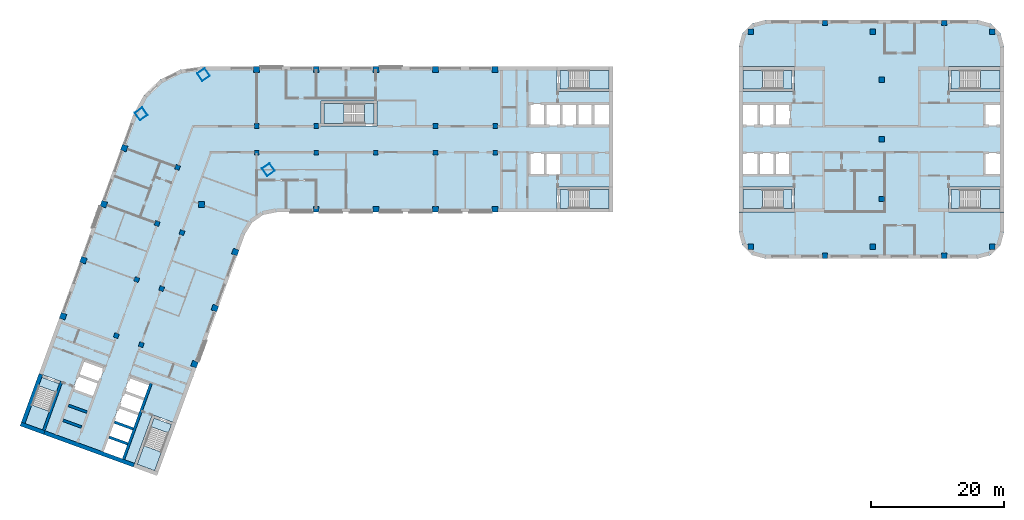
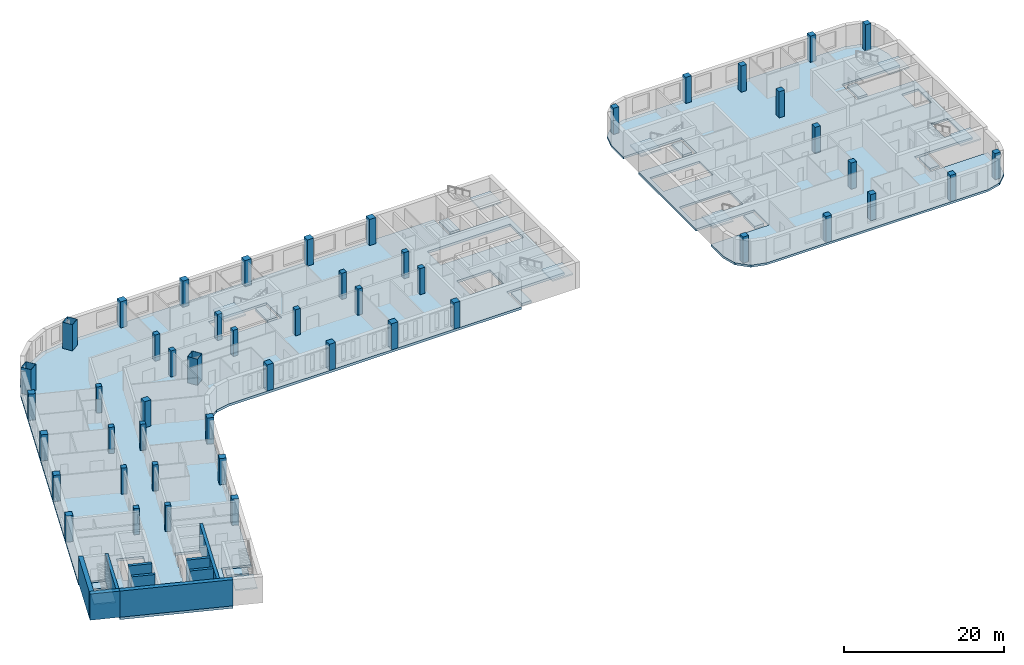
# One storey, part 1 of 12: 49 columns, 20 slabs, 9 walls, 9 elements without a shape of their own.
"""IFC4 building model written with IfcOpenShell, lengths in metres."""

import ifcopenshell
import ifcopenshell.guid

model = None  # the IFC model being written
_history = None  # IfcOwnerHistory: only IFC2X3 demands one
_inside = {}  # id of a spatial element -> (the spatial element, [elements in it])
_under = {}  # id of a project, library or spatial element -> (it, [spatial elements below it])
_declared = {}  # id of a project -> (the project, [libraries it declares])
_typed = {}  # id of a type object -> (the type object, [elements of that type])
_made_of = {}  # id of a material, layer set ... -> (it, [elements and type objects made of it])


def new_model(schema):
    """Start an empty IFC model of exactly this schema.

    Asked for "IFC4X3", IfcOpenShell would pick the latest addendum, in which some entities
    have other attributes; the version numbers below select the first issue.
    IFC2X3 requires an IfcOwnerHistory on every rooted entity: one is made here for all.
    """
    global model, _history
    if schema == "IFC4X3":
        model = ifcopenshell.file(schema_version=(4, 3, 0, 0))
    else:
        model = ifcopenshell.file(schema=schema)
    _inside.clear()
    _under.clear()
    _declared.clear()
    _typed.clear()
    _made_of.clear()
    _history = None
    if model.schema == "IFC2X3":
        org = make("IfcOrganization", Name="unknown")
        user = make(
            "IfcPersonAndOrganization",
            ThePerson=make("IfcPerson", FamilyName="unknown"),
            TheOrganization=org,
        )
        app = make(
            "IfcApplication",
            ApplicationDeveloper=org,
            Version="unknown",
            ApplicationFullName="unknown",
            ApplicationIdentifier="unknown",
        )
        _history = make(
            "IfcOwnerHistory",
            OwningUser=user,
            OwningApplication=app,
            ChangeAction="ADDED",
            CreationDate=0,
        )
    return model


def make(cls, **values):
    """One entity of the class cls with the attributes given. An attribute that is None is left unset."""
    return model.create_entity(
        cls, **{name: value for name, value in values.items() if value is not None}
    )


def rooted(cls, **values):
    """An entity with a GlobalId (a new one), such as an element, a storey or a relation."""
    return make(cls, GlobalId=ifcopenshell.guid.new(), OwnerHistory=_history, **values)


def si_unit(unit_type, name, prefix=None):
    """IfcSIUnit, for example si_unit("LENGTHUNIT", "METRE", prefix="MILLI")."""
    return make("IfcSIUnit", UnitType=unit_type, Prefix=prefix, Name=name)


def assignment(units):
    """IfcUnitAssignment: the units of a project."""
    return None if units is None else make("IfcUnitAssignment", Units=units)


def point(xyz):
    """IfcCartesianPoint."""
    return None if xyz is None else make("IfcCartesianPoint", Coordinates=xyz)


def direction(xyz):
    """IfcDirection."""
    return None if xyz is None else make("IfcDirection", DirectionRatios=xyz)


def frame(location, z_axis=None, x_axis=None):
    """IfcAxis2Placement3D, a coordinate frame: its origin and axes. An axis left out is left unset."""
    return make(
        "IfcAxis2Placement3D",
        Location=point(location),
        Axis=direction(z_axis),
        RefDirection=direction(x_axis),
    )


def frame_2d(location, x_axis=None):
    """IfcAxis2Placement2D, a coordinate frame in the plane: its origin and x axis."""
    return make(
        "IfcAxis2Placement2D", Location=point(location), RefDirection=direction(x_axis)
    )


def origin():
    """The frame at (0, 0, 0) with its axes left unset."""
    return frame((0.0, 0.0, 0.0))


def origin_2d():
    """The frame at (0, 0) in the plane with its x axis left unset."""
    return frame_2d((0.0, 0.0))


def place(relative_to, where):
    """IfcLocalPlacement: puts the frame where relative to a parent placement (None: the world)."""
    return make(
        "IfcLocalPlacement", PlacementRelTo=relative_to, RelativePlacement=where
    )


def context(
    kind, dimensions, precision=None, world=None, true_north=None, identifier=None
):
    """IfcGeometricRepresentationContext, for example the 3D "Model" context."""
    return make(
        "IfcGeometricRepresentationContext",
        ContextIdentifier=identifier,
        ContextType=kind,
        CoordinateSpaceDimension=dimensions,
        Precision=precision,
        WorldCoordinateSystem=world,
        TrueNorth=true_north,
    )


def subcontext(parent, identifier, kind, view, scale=None):
    """IfcGeometricRepresentationSubContext, for example "Body" below "Model"."""
    return make(
        "IfcGeometricRepresentationSubContext",
        ContextIdentifier=identifier,
        ContextType=kind,
        ParentContext=parent,
        TargetScale=scale,
        TargetView=view,
    )


def project(units=None, contexts=None):
    """IfcProject with its units and contexts."""
    return rooted(
        "IfcProject",
        Name="project",
        RepresentationContexts=contexts,
        UnitsInContext=assignment(units),
    )


def spatial(cls, under=None, at=None, **own):
    """A site, building, storey or space (cls), placed at a placement, below another one or the project."""
    s = rooted(cls, ObjectPlacement=at, **own)
    if under is not None:
        _under.setdefault(under.id(), (under, []))[1].append(s)
    return s


def polyline(points):
    """IfcPolyline through the points."""
    return make("IfcPolyline", Points=[point(p) for p in points])


def profile(cls, at=None, kind="AREA", **sizes):
    """A parametric profile (cls). Its sizes go by their IFC names, for example OverallWidth=200.0."""
    return make(cls, ProfileType=kind, Position=at, **sizes)


def rectangle(**sizes):
    """IfcRectangleProfileDef."""
    return profile("IfcRectangleProfileDef", **sizes)


def hollow_rectangle(**sizes):
    """IfcRectangleHollowProfileDef."""
    return profile("IfcRectangleHollowProfileDef", **sizes)


def outline(outer, holes=None, kind="AREA"):
    """IfcArbitraryClosedProfileDef: a profile drawn as a closed curve; with holes, ...WithVoids."""
    if holes is None:
        return make("IfcArbitraryClosedProfileDef", ProfileType=kind, OuterCurve=outer)
    return make(
        "IfcArbitraryProfileDefWithVoids",
        ProfileType=kind,
        OuterCurve=outer,
        InnerCurves=holes,
    )


def extrude(swept, where, along, depth):
    """IfcExtrudedAreaSolid: the profile swept, set in the frame where, extruded along a direction by depth."""
    return make(
        "IfcExtrudedAreaSolid",
        SweptArea=swept,
        Position=where,
        ExtrudedDirection=direction(along),
        Depth=depth,
    )


def shape(context_of_items, identifier, shape_type, items):
    """IfcShapeRepresentation: the items that make up one representation, for example the "Body"."""
    return make(
        "IfcShapeRepresentation",
        ContextOfItems=context_of_items,
        RepresentationIdentifier=identifier,
        RepresentationType=shape_type,
        Items=items,
    )


def material(Name=None, Category=None):
    """IfcMaterial."""
    return make("IfcMaterial", Name=Name, Category=Category)


def layer(
    of_material, thickness, ventilated=None, Name=None, Category=None, Priority=None
):
    """IfcMaterialLayer: one layer of a wall or slab, of a material (None: an air gap)."""
    return make(
        "IfcMaterialLayer",
        Material=of_material,
        LayerThickness=thickness,
        IsVentilated=ventilated,
        Name=Name,
        Category=Category,
        Priority=Priority,
    )


def layer_set(layers, Name=None):
    """IfcMaterialLayerSet."""
    return make("IfcMaterialLayerSet", MaterialLayers=layers, LayerSetName=Name)


def material_profile(
    of_material, cross_section, Name=None, Category=None, Priority=None
):
    """IfcMaterialProfile: a cross section and its material."""
    return make(
        "IfcMaterialProfile",
        Name=Name,
        Material=of_material,
        Profile=cross_section,
        Priority=Priority,
        Category=Category,
    )


def profile_set(profiles, Name=None, composite=None):
    """IfcMaterialProfileSet."""
    return make(
        "IfcMaterialProfileSet",
        Name=Name,
        MaterialProfiles=profiles,
        CompositeProfile=composite,
    )


def made_of(thing, what):
    """Note that an element or type object is made of a material, layer set ...; save() writes the relation."""
    if what is not None:
        _made_of.setdefault(what.id(), (what, []))[1].append(thing)
    return thing


def type_object(cls, material=None, **own):
    """A type object (cls), such as IfcWallType, which elements share."""
    return made_of(rooted(cls, **own), material)


def element(
    cls,
    number,
    at=None,
    inside=None,
    cuts=None,
    type_object=None,
    material=None,
    context=None,
    identifier="Body",
    shape_type=None,
    held_by="IfcProductDefinitionShape",
    body=None,
    shapes=None,
    **own,
):
    """One element of the class cls, such as IfcWall. Its Tag is "e" and its number.

    at: its placement. inside: the storey or other place that contains it. cuts: it is an
    opening in that element (IfcRelVoidsElement). A single representation is given by context,
    identifier, shape_type and body (its items); several are given by shapes. held_by: the class
    of the entity that holds the representations. save() writes the other relations.
    """
    e = rooted(cls, Tag="e%d" % number, ObjectPlacement=at, **own)
    if body is not None:
        shapes = [shape(context, identifier, shape_type, body)]
    if shapes is not None:
        e.Representation = make(held_by, Representations=shapes)
    if inside is not None:
        _inside.setdefault(inside.id(), (inside, []))[1].append(e)
    if cuts is not None:
        rooted(
            "IfcRelVoidsElement", RelatingBuildingElement=cuts, RelatedOpeningElement=e
        )
    if type_object is not None:
        _typed.setdefault(type_object.id(), (type_object, []))[1].append(e)
    return made_of(e, material)


def aggregate(whole, parts):
    """IfcRelAggregates: a whole, such as a stair, and the parts it consists of."""
    return rooted("IfcRelAggregates", RelatingObject=whole, RelatedObjects=parts)


def save(model, path):
    """Write the relations noted so far, then the file.

    IfcRelAggregates (storeys below a building ...), IfcRelContainedInSpatialStructure (elements
    in a storey), IfcRelDefinesByType, IfcRelAssociatesMaterial and IfcRelDeclares: one each for
    every whole, place, type object, material and project.
    """
    for whole, parts in _under.values():
        aggregate(whole, parts)
    for where, things in _inside.values():
        rooted(
            "IfcRelContainedInSpatialStructure",
            RelatedElements=things,
            RelatingStructure=where,
        )
    for kind, things in _typed.values():
        rooted("IfcRelDefinesByType", RelatedObjects=things, RelatingType=kind)
    for what, things in _made_of.values():
        rooted("IfcRelAssociatesMaterial", RelatedObjects=things, RelatingMaterial=what)
    for by, libraries in _declared.values():
        rooted("IfcRelDeclares", RelatingContext=by, RelatedDefinitions=libraries)
    model.write(path)


model = new_model("IFC4")

# Units and contexts
model_context = context("Model", 3, precision=1e-05, world=origin(), true_north=direction((0.0, 1.0)))
body_context = subcontext(model_context, "Body", "Model", "MODEL_VIEW")
ifc_project = project(units=[si_unit("LENGTHUNIT", "METRE"), si_unit("AREAUNIT", "SQUARE_METRE"), si_unit("VOLUMEUNIT", "CUBIC_METRE"), si_unit("PLANEANGLEUNIT", "RADIAN"), si_unit("MASSUNIT", "GRAM", prefix="KILO")], contexts=[model_context])

# Site, building, storey
site_placement = place(None, origin())
site = spatial("IfcSite", under=ifc_project, at=site_placement, CompositionType="ELEMENT")
building_placement = place(site_placement, origin())
building = spatial("IfcBuilding", under=site, at=building_placement, Name="Skarvind Civic Tower", CompositionType="ELEMENT")
storey_placement = place(building_placement, frame((0.0, 0.0, 51.5)))
storey = spatial("IfcBuildingStorey", under=building, at=storey_placement, Name="L11", CompositionType="ELEMENT", Elevation=51.5)

# Columns
ifc_material_1 = material(Name="Concrete C60", Category="concrete")
ifc_material_profile_1 = material_profile(ifc_material_1, rectangle(XDim=0.699951171875, YDim=0.699951171875, at=origin_2d()), Name="RC-700x700")
ifc_profile_set_1 = profile_set([ifc_material_profile_1], Name="Concrete C60")
column_type_1 = type_object("IfcColumnType", Name="Column RC-700x700 C60", PredefinedType="COLUMN", material=ifc_profile_set_1)
for number, where, z_axis, x_axis, name in (
    (1, (54.25, 130.0, 0.0), (0.0, 0.0, 1.0), (1.0, 0.0, 0.0), "Column wing 1 north inner 02 L11"),
    (2, (63.25, 130.0, 0.0), (0.0, 0.0, 1.0), (1.0, 0.0, 0.0), "Column wing 1 north inner 03 L11"),
    (3, (81.25, 130.0, 0.0), (0.0, 0.0, 1.0), (1.0, 0.0, 0.0), "Column wing 1 north inner 05 L11"),
    (4, (90.25, 130.0, 0.0), (0.0, 0.0, 1.0), (1.0, 0.0, 0.0), "Column wing 1 north inner 06 L11"),
    (5, (54.25, 126.0, 0.0), (0.0, 0.0, 1.0), (1.0, 0.0, 0.0), "Column wing 1 south inner 02 L11"),
    (6, (63.25, 126.0, 0.0), (0.0, 0.0, 1.0), (1.0, 0.0, 0.0), "Column wing 1 south inner 03 L11"),
    (7, (72.25, 126.0, 0.0), (0.0, 0.0, 1.0), (1.0, 0.0, 0.0), "Column wing 1 south inner 04 L11"),
    (8, (81.25, 126.0, 0.0), (0.0, 0.0, 1.0), (1.0, 0.0, 0.0), "Column wing 1 south inner 05 L11"),
    (9, (90.25, 126.0, 0.0), (0.0, 0.0, 1.0), (1.0, 0.0, 0.0), "Column wing 1 south inner 06 L11"),
    (10, (43.005615234375, 113.92529296875, 0.0), (0.0, 0.0, 1.0), (-0.342020143326, -0.939692620786, 0.0), "Column wing 2 left inner 02 L11"),
    (11, (39.927490234375, 105.468017578125, 0.0), (0.0, 0.0, 1.0), (-0.342020143326, -0.939692620786, 0.0), "Column wing 2 left inner 03 L11"),
    (12, (36.84912109375, 97.010986328125, 0.0), (0.0, 0.0, 1.0), (-0.342020143326, -0.939692620786, 0.0), "Column wing 2 left inner 04 L11"),
    (13, (42.324951171875, 123.750732421875, 0.0), (0.0, 0.0, 1.0), (-0.342020143326, -0.939692620786, 0.0), "Column wing 2 right inner 01 L11"),
    (14, (39.246826171875, 115.29345703125, 0.0), (0.0, 0.0, 1.0), (-0.342020143326, -0.939692620786, 0.0), "Column wing 2 right inner 02 L11"),
    (15, (36.168701171875, 106.836181640625, 0.0), (0.0, 0.0, 1.0), (-0.342020143326, -0.939692620786, 0.0), "Column wing 2 right inner 03 L11"),
    (16, (33.090576171875, 98.37890625, 0.0), (0.0, 0.0, 1.0), (-0.342020143326, -0.939692620786, 0.0), "Column wing 2 right inner 04 L11"),
):
    element("IfcColumn", number, at=place(storey_placement, frame(where, z_axis=z_axis, x_axis=x_axis)), inside=storey, type_object=column_type_1, Name=name, PredefinedType="COLUMN", context=body_context, shape_type="SweptSolid", body=[
        extrude(rectangle(XDim=0.699951171875, YDim=0.699951171875, at=origin_2d()), origin(), (0.0, 0.0, 1.0), 4.0),
    ])
ifc_material_profile_2 = material_profile(ifc_material_1, rectangle(XDim=0.800048828125, YDim=0.800048828125, at=origin_2d()), Name="RC-800x800")
ifc_profile_set_2 = profile_set([ifc_material_profile_2], Name="Concrete C60")
column_type_2 = type_object("IfcColumnType", Name="Column RC-800x800 C60", PredefinedType="COLUMN", material=ifc_profile_set_2)
for number, where, z_axis, x_axis, name in (
    (17, (128.777099609375, 144.222900390625, 0.0), (0.0, 0.0, 1.0), (1.0, 0.0, 0.0), "Column second tower north-west corner L11"),
    (18, (128.777099609375, 111.777099609375, 0.0), (0.0, 0.0, 1.0), (1.0, 0.0, 0.0), "Column second tower south-west corner L11"),
    (19, (148.550048828125, 119.0, 0.0), (0.0, 0.0, 1.0), (1.0, 0.0, 0.0), "Column second tower middle line 01 L11"),
    (20, (148.550048828125, 128.0, 0.0), (0.0, 0.0, 1.0), (1.0, 0.0, 0.0), "Column second tower middle line 02 L11"),
    (21, (148.550048828125, 137.0, 0.0), (0.0, 0.0, 1.0), (1.0, 0.0, 0.0), "Column second tower middle line 03 L11"),
    (22, (140.0, 145.550048828125, 0.0), (0.0, 0.0, 1.0), (1.0, 0.0, 0.0), "Column second tower north perimeter 02 L11"),
    (23, (147.222900390625, 144.222900390625, 0.0), (0.0, 0.0, 1.0), (1.0, 0.0, 0.0), "Column second tower north perimeter 03 L11"),
    (24, (140.0, 110.449951171875, 0.0), (0.0, 0.0, 1.0), (1.0, 0.0, 0.0), "Column second tower south perimeter 02 L11"),
    (25, (147.222900390625, 111.777099609375, 0.0), (0.0, 0.0, 1.0), (1.0, 0.0, 0.0), "Column second tower south perimeter 03 L11"),
    (26, (165.222900390625, 144.222900390625, 0.0), (0.0, 0.0, 1.0), (1.0, 0.0, 0.0), "Column second tower north-east corner L11"),
    (27, (165.222900390625, 111.777099609375, 0.0), (0.0, 0.0, 1.0), (1.0, 0.0, 0.0), "Column second tower south-east corner L11"),
    (28, (158.0, 145.550048828125, 0.0), (0.0, 0.0, 1.0), (1.0, 0.0, 0.0), "Column second tower north perimeter 04 L11"),
    (29, (158.0, 110.449951171875, 0.0), (0.0, 0.0, 1.0), (1.0, 0.0, 0.0), "Column second tower south perimeter 04 L11"),
):
    element("IfcColumn", number, at=place(storey_placement, frame(where, z_axis=z_axis, x_axis=x_axis)), inside=storey, type_object=column_type_2, Name=name, PredefinedType="COLUMN", context=body_context, shape_type="SweptSolid", body=[
        extrude(rectangle(XDim=0.800048828125, YDim=0.800048828125, at=origin_2d()), origin(), (0.0, 0.0, 1.0), 4.0),
    ])
ifc_material_2 = material(Name="Concrete C80", Category="concrete")
ifc_material_profile_3 = material_profile(ifc_material_2, rectangle(XDim=0.89990234375, YDim=0.89990234375, at=origin_2d()), Name="RC-900x900")
ifc_profile_set_3 = profile_set([ifc_material_profile_3], Name="Concrete C80")
column_type_3 = type_object("IfcColumnType", Name="Column RC-900x900 C80", PredefinedType="COLUMN", material=ifc_profile_set_3)
for number, where, z_axis, x_axis, name in (
    (30, (54.25, 138.550048828125, 0.0), (0.0, 0.0, 1.0), (1.0, 0.0, 0.0), "Column wing 1 north perimeter 02 L11"),
    (31, (63.25, 138.550048828125, 0.0), (0.0, 0.0, 1.0), (1.0, 0.0, 0.0), "Column wing 1 north perimeter 03 L11"),
    (32, (72.25, 138.550048828125, 0.0), (0.0, 0.0, 1.0), (1.0, 0.0, 0.0), "Column wing 1 north perimeter 04 L11"),
    (33, (81.25, 138.550048828125, 0.0), (0.0, 0.0, 1.0), (1.0, 0.0, 0.0), "Column wing 1 north perimeter 05 L11"),
    (34, (90.25, 138.550048828125, 0.0), (0.0, 0.0, 1.0), (1.0, 0.0, 0.0), "Column wing 1 north perimeter 06 L11"),
    (35, (45.95166015625, 118.151611328125, 0.0), (0.0, 0.0, 1.0), (1.0, 0.0, 0.0), "Column wing 1 south perimeter 01 L11"),
    (36, (63.25, 117.449951171875, 0.0), (0.0, 0.0, 1.0), (1.0, 0.0, 0.0), "Column wing 1 south perimeter 03 L11"),
    (37, (72.25, 117.449951171875, 0.0), (0.0, 0.0, 1.0), (1.0, 0.0, 0.0), "Column wing 1 south perimeter 04 L11"),
    (38, (81.25, 117.449951171875, 0.0), (0.0, 0.0, 1.0), (1.0, 0.0, 0.0), "Column wing 1 south perimeter 05 L11"),
    (39, (90.25, 117.449951171875, 0.0), (0.0, 0.0, 1.0), (1.0, 0.0, 0.0), "Column wing 1 south perimeter 06 L11"),
    (40, (51.0400390625, 111.0009765625, 0.0), (0.0, 0.0, 1.0), (-0.342020143326, -0.939692620786, 0.0), "Column wing 2 left perimeter 02 L11"),
    (41, (47.961669921875, 102.5439453125, 0.0), (0.0, 0.0, 1.0), (-0.342020143326, -0.939692620786, 0.0), "Column wing 2 left perimeter 03 L11"),
    (42, (44.883544921875, 94.086669921875, 0.0), (0.0, 0.0, 1.0), (-0.342020143326, -0.939692620786, 0.0), "Column wing 2 left perimeter 04 L11"),
    (43, (34.29052734375, 126.6748046875, 0.0), (0.0, 0.0, 1.0), (-0.342020143326, -0.939692620786, 0.0), "Column wing 2 right perimeter 01 L11"),
    (44, (31.21240234375, 118.2177734375, 0.0), (0.0, 0.0, 1.0), (-0.342020143326, -0.939692620786, 0.0), "Column wing 2 right perimeter 02 L11"),
    (45, (28.13427734375, 109.760498046875, 0.0), (0.0, 0.0, 1.0), (-0.342020143326, -0.939692620786, 0.0), "Column wing 2 right perimeter 03 L11"),
    (46, (25.05615234375, 101.30322265625, 0.0), (0.0, 0.0, 1.0), (-0.342020143326, -0.939692620786, 0.0), "Column wing 2 right perimeter 04 L11"),
):
    element("IfcColumn", number, at=place(storey_placement, frame(where, z_axis=z_axis, x_axis=x_axis)), inside=storey, type_object=column_type_3, Name=name, PredefinedType="COLUMN", context=body_context, shape_type="SweptSolid", body=[
        extrude(rectangle(XDim=0.89990234375, YDim=0.89990234375, at=origin_2d()), origin(), (0.0, 0.0, 1.0), 4.0),
    ])
ifc_material_3 = material(Name="Composite concrete-filled steel tube, Steel SM355 with Concrete C80", Category="concrete")
ifc_material_profile_4 = material_profile(ifc_material_3, hollow_rectangle(XDim=1.39990234375, YDim=1.39990234375, WallThickness=0.0400390625, at=origin_2d()), Name="BOX-1400x1400x40")
ifc_profile_set_4 = profile_set([ifc_material_profile_4], Name="Composite concrete-filled steel tube, Steel SM355 with Concrete C80")
column_type_4 = type_object("IfcColumnType", Name="Mega column BOX-1400x1400x40 filled C80", PredefinedType="COLUMN", material=ifc_profile_set_4)
for number, where, z_axis, x_axis, name in (
    (47, (36.845947265625, 131.837646484375, 0.0), (0.0, 0.0, 1.0), (0.573576436351, -0.819152044289, 0.0), "Mega column 1 L11"),
    (48, (46.2470703125, 137.762451171875, 0.0), (0.0, 0.0, 1.0), (0.573576436351, -0.819152044289, 0.0), "Mega column 2 L11"),
    (49, (56.0361328125, 123.43017578125, 0.0), (0.0, 0.0, 1.0), (0.573576436351, -0.819152044289, 0.0), "Mega column 4 L11"),
):
    element("IfcColumn", number, at=place(storey_placement, frame(where, z_axis=z_axis, x_axis=x_axis)), inside=storey, type_object=column_type_4, Name=name, PredefinedType="COLUMN", context=body_context, shape_type="SweptSolid", body=[
        extrude(hollow_rectangle(XDim=1.39990234375, YDim=1.39990234375, WallThickness=0.0400390625, at=origin_2d()), origin(), (0.0, 0.0, 1.0), 4.0),
    ])

# Slabs
ifc_material_4 = material(Name="Concrete C50", Category="concrete")
ifc_layer_1 = layer(ifc_material_4, 0.375)
ifc_layer_set_1 = layer_set([ifc_layer_1], Name="Floor slab 375 C50")
slab_type_1 = type_object("IfcSlabType", Name="Floor slab 375 C50", PredefinedType="FLOOR", material=ifc_layer_set_1)
slab_1_placement = place(storey_placement, frame((0.0, 0.0, -0.375)))
element("IfcSlab", 50, at=slab_1_placement, inside=storey, type_object=slab_type_1, Name="Floor slab L11 1", PredefinedType="FLOOR", context=body_context, shape_type="SweptSolid", body=[
    extrude(outline(polyline([(99.60009765625, 117.0), (99.60009765625, 120.800048828125), (108.0, 120.800048828125), (108.0, 135.199951171875), (99.60009765625, 135.199951171875), (99.60009765625, 139.0), (46.095458984375, 139.0), (42.739501953125, 138.5009765625), (39.6943359375, 137.005615234375), (37.24755859375, 134.6552734375), (35.630615234375, 131.672607421875), (19.41748046875, 87.126708984375), (21.435302734375, 92.6708984375), (25.006103515625, 91.371337890625), (22.13330078125, 83.477783203125), (36.886474609375, 78.108154296875), (35.664794921875, 78.552734375), (38.53759765625, 86.4462890625), (42.108642578125, 85.146484375), (40.0908203125, 79.602294921875), (40.0908203125, 79.602294921875), (52.493896484375, 113.68017578125), (53.560791015625, 115.421630859375), (55.23388671875, 116.593017578125), (57.235107421875, 117.0), (99.60009765625, 117.0)]), holes=[polyline([(32.625244140625, 85.40576171875), (33.446044921875, 87.660888671875), (34.26708984375, 89.916259765625), (35.087890625, 92.17138671875), (38.28271484375, 91.008544921875), (37.4619140625, 88.75341796875), (36.64111328125, 86.498046875), (35.8203125, 84.242919921875), (35.8203125, 84.242919921875), (34.99951171875, 81.987548828125), (34.178466796875, 79.732421875), (30.983642578125, 80.89501953125), (31.804443359375, 83.150390625), (32.625244140625, 85.40576171875), (32.625244140625, 85.40576171875)]), polyline([(31.3291015625, 93.53955078125), (30.50830078125, 91.2841796875), (29.6875, 89.029052734375), (26.492431640625, 90.19189453125), (27.313232421875, 92.447021484375), (28.134033203125, 94.702392578125), (31.3291015625, 93.53955078125)]), polyline([(64.0, 130.0), (64.0, 133.800048828125), (72.39990234375, 133.800048828125), (72.39990234375, 130.0), (64.0, 130.0)]), polyline([(100.199951171875, 126.0), (100.199951171875, 122.60009765625), (97.800048828125, 122.60009765625), (95.39990234375, 122.60009765625), (95.39990234375, 126.0), (97.800048828125, 126.0), (100.199951171875, 126.0)]), polyline([(100.199951171875, 133.39990234375), (102.60009765625, 133.39990234375), (105.0, 133.39990234375), (107.39990234375, 133.39990234375), (107.39990234375, 130.0), (105.0, 130.0), (102.60009765625, 130.0), (100.199951171875, 130.0), (97.800048828125, 130.0), (95.39990234375, 130.0), (95.39990234375, 133.39990234375), (97.800048828125, 133.39990234375), (100.199951171875, 133.39990234375)])]), origin(), (0.0, 0.0, 1.0), 0.375),
])
ifc_layer_2 = layer(ifc_material_4, 0.324951171875)
ifc_layer_set_2 = layer_set([ifc_layer_2], Name="Second tower floor slab 325 C50")
slab_type_2 = type_object("IfcSlabType", Name="Second tower floor slab 325 C50", PredefinedType="FLOOR", material=ifc_layer_set_2)
slab_2_placement = place(storey_placement, frame((0.0, 0.0, -0.324951171875)))
element("IfcSlab", 51, at=slab_2_placement, inside=storey, type_object=slab_type_2, Name="Floor slab L11 1", PredefinedType="FLOOR", context=body_context, shape_type="SweptSolid", body=[
    extrude(outline(polyline([(127.0, 139.0), (135.39990234375, 139.0), (135.39990234375, 135.199951171875), (127.0, 135.199951171875), (127.0, 120.800048828125), (135.39990234375, 120.800048828125), (135.39990234375, 117.0), (127.0, 117.0), (127.0, 114.0), (127.535888671875, 112.0), (129.0, 110.535888671875), (131.0, 110.0), (163.0, 110.0), (165.0, 110.535888671875), (166.464111328125, 112.0), (167.0, 114.0), (167.0, 117.0), (158.60009765625, 117.0), (158.60009765625, 120.800048828125), (167.0, 120.800048828125), (167.0, 135.199951171875), (158.60009765625, 135.199951171875), (158.60009765625, 139.0), (167.0, 139.0), (167.0, 142.0), (166.464111328125, 144.0), (165.0, 145.464111328125), (163.0, 146.0), (131.0, 146.0), (129.0, 145.464111328125), (127.535888671875, 144.0), (127.0, 142.0), (127.0, 139.0)]), holes=[polyline([(132.39990234375, 126.0), (134.800048828125, 126.0), (134.800048828125, 122.60009765625), (132.39990234375, 122.60009765625), (130.0, 122.60009765625), (127.60009765625, 122.60009765625), (127.60009765625, 126.0), (130.0, 126.0), (132.39990234375, 126.0)]), polyline([(130.0, 133.39990234375), (132.39990234375, 133.39990234375), (134.800048828125, 133.39990234375), (134.800048828125, 130.0), (132.39990234375, 130.0), (130.0, 130.0), (127.60009765625, 130.0), (127.60009765625, 133.39990234375), (130.0, 133.39990234375)]), polyline([(166.39990234375, 126.0), (166.39990234375, 122.60009765625), (164.0, 122.60009765625), (164.0, 126.0), (166.39990234375, 126.0)]), polyline([(166.39990234375, 133.39990234375), (166.39990234375, 130.0), (164.0, 130.0), (164.0, 133.39990234375), (166.39990234375, 133.39990234375)])]), origin(), (0.0, 0.0, 1.0), 0.324951171875),
])
ifc_material_5 = material(Name="Concrete C40/50", Category="concrete")
ifc_layer_3 = layer(ifc_material_5, 0.375)
ifc_layer_set_3 = layer_set([ifc_layer_3], Name="Stair floor landing slab 375")
slab_type_3 = type_object("IfcSlabType", Name="Stair floor landing slab 375", PredefinedType="LANDING", material=ifc_layer_set_3)
slab_3_placement = place(storey_placement, frame((0.0, 0.0, -0.375)))
element("IfcSlab", 52, at=slab_3_placement, inside=storey, type_object=slab_type_3, Name="Stair floor landing", PredefinedType="LANDING", context=body_context, shape_type="SweptSolid", body=[
    extrude(outline(polyline([(101.3505859375, 138.400634765625), (101.3505859375, 135.599365234375), (99.99951171875, 135.599365234375), (99.99951171875, 138.400634765625), (101.3505859375, 138.400634765625)])), origin(), (0.0, 0.0, 1.0), 0.375),
])
slab_4_placement = place(storey_placement, frame((0.0, 0.0, -0.375)))
element("IfcSlab", 53, at=slab_4_placement, inside=storey, type_object=slab_type_3, Name="Stair floor landing", PredefinedType="LANDING", context=body_context, shape_type="SweptSolid", body=[
    extrude(outline(polyline([(101.3505859375, 120.400634765625), (101.3505859375, 117.599365234375), (99.99951171875, 117.599365234375), (99.99951171875, 120.400634765625), (101.3505859375, 120.400634765625)])), origin(), (0.0, 0.0, 1.0), 0.375),
])
slab_5_placement = place(storey_placement, frame((0.0, 0.0, -0.375)))
element("IfcSlab", 54, at=slab_5_placement, inside=storey, type_object=slab_type_3, Name="Stair floor landing", PredefinedType="LANDING", context=body_context, shape_type="SweptSolid", body=[
    extrude(outline(polyline([(40.946533203125, 83.70654296875), (38.314208984375, 84.66455078125), (38.7763671875, 85.934326171875), (41.40869140625, 84.976318359375), (40.946533203125, 83.70654296875)])), origin(), (0.0, 0.0, 1.0), 0.375),
])
slab_6_placement = place(storey_placement, frame((0.0, 0.0, -0.375)))
element("IfcSlab", 55, at=slab_6_placement, inside=storey, type_object=slab_type_3, Name="Stair floor landing", PredefinedType="LANDING", context=body_context, shape_type="SweptSolid", body=[
    extrude(outline(polyline([(24.0322265625, 89.863037109375), (21.39990234375, 90.821044921875), (21.862060546875, 92.090576171875), (24.494384765625, 91.132568359375), (24.0322265625, 89.863037109375)])), origin(), (0.0, 0.0, 1.0), 0.375),
])
slab_7_placement = place(storey_placement, frame((0.0, 0.0, -0.375)))
element("IfcSlab", 56, at=slab_7_placement, inside=storey, type_object=slab_type_3, Name="Stair floor landing", PredefinedType="LANDING", context=body_context, shape_type="SweptSolid", body=[
    extrude(outline(polyline([(133.6494140625, 117.599365234375), (133.6494140625, 120.400634765625), (135.00048828125, 120.400634765625), (135.00048828125, 117.599365234375), (133.6494140625, 117.599365234375)])), origin(), (0.0, 0.0, 1.0), 0.375),
])
slab_8_placement = place(storey_placement, frame((0.0, 0.0, -0.375)))
element("IfcSlab", 57, at=slab_8_placement, inside=storey, type_object=slab_type_3, Name="Stair floor landing", PredefinedType="LANDING", context=body_context, shape_type="SweptSolid", body=[
    extrude(outline(polyline([(133.6494140625, 135.599365234375), (133.6494140625, 138.400634765625), (135.00048828125, 138.400634765625), (135.00048828125, 135.599365234375), (133.6494140625, 135.599365234375)])), origin(), (0.0, 0.0, 1.0), 0.375),
])
slab_9_placement = place(storey_placement, frame((0.0, 0.0, -0.375)))
element("IfcSlab", 58, at=slab_9_placement, inside=storey, type_object=slab_type_3, Name="Stair floor landing", PredefinedType="LANDING", context=body_context, shape_type="SweptSolid", body=[
    extrude(outline(polyline([(160.3505859375, 138.400634765625), (160.3505859375, 135.599365234375), (158.99951171875, 135.599365234375), (158.99951171875, 138.400634765625), (160.3505859375, 138.400634765625)])), origin(), (0.0, 0.0, 1.0), 0.375),
])
slab_10_placement = place(storey_placement, frame((0.0, 0.0, -0.375)))
element("IfcSlab", 59, at=slab_10_placement, inside=storey, type_object=slab_type_3, Name="Stair floor landing", PredefinedType="LANDING", context=body_context, shape_type="SweptSolid", body=[
    extrude(outline(polyline([(160.3505859375, 120.400634765625), (160.3505859375, 117.599365234375), (158.99951171875, 117.599365234375), (158.99951171875, 120.400634765625), (160.3505859375, 120.400634765625)])), origin(), (0.0, 0.0, 1.0), 0.375),
])
slab_11_placement = place(storey_placement, frame((0.0, 0.0, -0.375)))
element("IfcSlab", 60, at=slab_11_placement, inside=storey, type_object=slab_type_3, Name="Stair floor landing", PredefinedType="LANDING", context=body_context, shape_type="SweptSolid", body=[
    extrude(outline(polyline([(70.54931640625, 130.3994140625), (70.54931640625, 133.400634765625), (72.00048828125, 133.400634765625), (72.00048828125, 130.3994140625), (70.54931640625, 130.3994140625)])), origin(), (0.0, 0.0, 1.0), 0.375),
])

# Stair, slab
stair_type_1 = type_object("IfcStairType", Name="Exit stair, half-turn, concrete", PredefinedType="HALF_TURN_STAIR", material=ifc_material_5)
stair_1_placement = place(storey_placement, origin())
stair_1 = element("IfcStair", 61, at=stair_1_placement, inside=storey, type_object=stair_type_1, Name="Exit stair C1S", PredefinedType="HALF_TURN_STAIR")
ifc_layer_4 = layer(ifc_material_5, 0.199951171875)
ifc_layer_set_4 = layer_set([ifc_layer_4], Name="Stair half landing slab")
slab_type_4 = type_object("IfcSlabType", Name="Stair half landing slab", PredefinedType="LANDING", material=ifc_layer_set_4)
slab_12_placement = place(storey_placement, frame((0.0, 0.0, 1.800048828125)))
slab_12 = element("IfcSlab", 62, at=slab_12_placement, type_object=slab_type_4, Name="ST-C1S landing 1", PredefinedType="LANDING", context=body_context, shape_type="SweptSolid", body=[
    extrude(outline(polyline([(104.429443359375, 135.599365234375), (104.429443359375, 138.400634765625), (107.400634765625, 138.400634765625), (107.400634765625, 135.599365234375), (104.429443359375, 135.599365234375)])), origin(), (0.0, 0.0, 1.0), 0.199951171875),
])
aggregate(stair_1, [slab_12])

stair_2_placement = place(storey_placement, origin())
stair_2 = element("IfcStair", 63, at=stair_2_placement, inside=storey, type_object=stair_type_1, Name="Exit stair C1N", PredefinedType="HALF_TURN_STAIR")
slab_13_placement = place(storey_placement, frame((0.0, 0.0, 1.800048828125)))
slab_13 = element("IfcSlab", 64, at=slab_13_placement, type_object=slab_type_4, Name="ST-C1N landing 1", PredefinedType="LANDING", context=body_context, shape_type="SweptSolid", body=[
    extrude(outline(polyline([(104.429443359375, 117.599365234375), (104.429443359375, 120.400634765625), (107.400634765625, 120.400634765625), (107.400634765625, 117.599365234375), (104.429443359375, 117.599365234375)])), origin(), (0.0, 0.0, 1.0), 0.199951171875),
])
aggregate(stair_2, [slab_13])

stair_3_placement = place(storey_placement, origin())
stair_3 = element("IfcStair", 65, at=stair_3_placement, inside=storey, type_object=stair_type_1, Name="Exit stair C2S", PredefinedType="HALF_TURN_STAIR")
slab_14_placement = place(storey_placement, frame((0.0, 0.0, 1.800048828125)))
slab_14 = element("IfcSlab", 66, at=slab_14_placement, type_object=slab_type_4, Name="ST-C2S landing 1", PredefinedType="LANDING", context=body_context, shape_type="SweptSolid", body=[
    extrude(outline(polyline([(37.26123046875, 81.771484375), (39.8935546875, 80.8134765625), (38.87744140625, 78.021484375), (36.2451171875, 78.9794921875), (37.26123046875, 81.771484375)])), origin(), (0.0, 0.0, 1.0), 0.199951171875),
])
aggregate(stair_3, [slab_14])

stair_4_placement = place(storey_placement, origin())
stair_4 = element("IfcStair", 67, at=stair_4_placement, inside=storey, type_object=stair_type_1, Name="Exit stair C2N", PredefinedType="HALF_TURN_STAIR")
slab_15_placement = place(storey_placement, frame((0.0, 0.0, 1.800048828125)))
slab_15 = element("IfcSlab", 68, at=slab_15_placement, type_object=slab_type_4, Name="ST-C2N landing 1", PredefinedType="LANDING", context=body_context, shape_type="SweptSolid", body=[
    extrude(outline(polyline([(20.346923828125, 87.927734375), (22.97900390625, 86.9697265625), (21.962890625, 84.177734375), (19.33056640625, 85.1357421875), (20.346923828125, 87.927734375)])), origin(), (0.0, 0.0, 1.0), 0.199951171875),
])
aggregate(stair_4, [slab_15])

stair_5_placement = place(storey_placement, origin())
stair_5 = element("IfcStair", 69, at=stair_5_placement, inside=storey, type_object=stair_type_1, Name="Exit stair CAS", PredefinedType="HALF_TURN_STAIR")
slab_16_placement = place(storey_placement, frame((0.0, 0.0, 1.800048828125)))
slab_16 = element("IfcSlab", 70, at=slab_16_placement, type_object=slab_type_4, Name="ST-CAS landing 1", PredefinedType="LANDING", context=body_context, shape_type="SweptSolid", body=[
    extrude(outline(polyline([(130.570556640625, 120.400634765625), (130.570556640625, 117.599365234375), (127.599365234375, 117.599365234375), (127.599365234375, 120.400634765625), (130.570556640625, 120.400634765625)])), origin(), (0.0, 0.0, 1.0), 0.199951171875),
])
aggregate(stair_5, [slab_16])

stair_6_placement = place(storey_placement, origin())
stair_6 = element("IfcStair", 71, at=stair_6_placement, inside=storey, type_object=stair_type_1, Name="Exit stair CAN", PredefinedType="HALF_TURN_STAIR")
slab_17_placement = place(storey_placement, frame((0.0, 0.0, 1.800048828125)))
slab_17 = element("IfcSlab", 72, at=slab_17_placement, type_object=slab_type_4, Name="ST-CAN landing 1", PredefinedType="LANDING", context=body_context, shape_type="SweptSolid", body=[
    extrude(outline(polyline([(130.570556640625, 138.400634765625), (130.570556640625, 135.599365234375), (127.599365234375, 135.599365234375), (127.599365234375, 138.400634765625), (130.570556640625, 138.400634765625)])), origin(), (0.0, 0.0, 1.0), 0.199951171875),
])
aggregate(stair_6, [slab_17])

stair_7_placement = place(storey_placement, origin())
stair_7 = element("IfcStair", 73, at=stair_7_placement, inside=storey, type_object=stair_type_1, Name="Exit stair CBS", PredefinedType="HALF_TURN_STAIR")
slab_18_placement = place(storey_placement, frame((0.0, 0.0, 1.800048828125)))
slab_18 = element("IfcSlab", 74, at=slab_18_placement, type_object=slab_type_4, Name="ST-CBS landing 1", PredefinedType="LANDING", context=body_context, shape_type="SweptSolid", body=[
    extrude(outline(polyline([(163.429443359375, 135.599365234375), (163.429443359375, 138.400634765625), (166.400634765625, 138.400634765625), (166.400634765625, 135.599365234375), (163.429443359375, 135.599365234375)])), origin(), (0.0, 0.0, 1.0), 0.199951171875),
])
aggregate(stair_7, [slab_18])

stair_8_placement = place(storey_placement, origin())
stair_8 = element("IfcStair", 75, at=stair_8_placement, inside=storey, type_object=stair_type_1, Name="Exit stair CBN", PredefinedType="HALF_TURN_STAIR")
slab_19_placement = place(storey_placement, frame((0.0, 0.0, 1.800048828125)))
slab_19 = element("IfcSlab", 76, at=slab_19_placement, type_object=slab_type_4, Name="ST-CBN landing 1", PredefinedType="LANDING", context=body_context, shape_type="SweptSolid", body=[
    extrude(outline(polyline([(163.429443359375, 117.599365234375), (163.429443359375, 120.400634765625), (166.400634765625, 120.400634765625), (166.400634765625, 117.599365234375), (163.429443359375, 117.599365234375)])), origin(), (0.0, 0.0, 1.0), 0.199951171875),
])
aggregate(stair_8, [slab_19])

stair_type_2 = type_object("IfcStairType", Name="Exit stair 1450, half-turn, concrete", PredefinedType="HALF_TURN_STAIR", material=ifc_material_5)
stair_9_placement = place(storey_placement, origin())
stair_9 = element("IfcStair", 77, at=stair_9_placement, inside=storey, type_object=stair_type_2, Name="Exit stair CM", PredefinedType="HALF_TURN_STAIR")
slab_20_placement = place(storey_placement, frame((0.0, 0.0, 1.800048828125)))
slab_20 = element("IfcSlab", 78, at=slab_20_placement, type_object=slab_type_4, Name="ST-CM landing 1", PredefinedType="LANDING", context=body_context, shape_type="SweptSolid", body=[
    extrude(outline(polyline([(67.470703125, 133.400634765625), (67.470703125, 130.3994140625), (64.3994140625, 130.3994140625), (64.3994140625, 133.400634765625), (67.470703125, 133.400634765625)])), origin(), (0.0, 0.0, 1.0), 0.199951171875),
])
aggregate(stair_9, [slab_20])

# Walls
ifc_layer_5 = layer(ifc_material_2, 0.39990234375)
ifc_layer_set_5 = layer_set([ifc_layer_5], Name="Core wall 400 C80")
wall_type_1 = type_object("IfcWallType", Name="Core wall 400 C80", PredefinedType="SHEAR", material=ifc_layer_set_5)
wall_1_placement = place(storey_placement, frame((22.150390625, 84.110107421875, 0.0), z_axis=(0.0, 0.0, 1.0), x_axis=(0.342016982193, 0.939693771338, 0.0)))
element("IfcWall", 79, at=wall_1_placement, inside=storey, type_object=wall_type_1, Name="Core wall C2 north stair inner L11", PredefinedType="SHEAR", context=body_context, shape_type="SweptSolid", body=[
    extrude(rectangle(XDim=7.800048828125, YDim=0.39990234375, at=frame_2d((3.89990234375, 0.0))), origin(), (0.0, 0.0, 1.0), 4.0),
])
wall_2_placement = place(storey_placement, frame((34.178466796875, 79.732177734375, 0.0), z_axis=(0.0, 0.0, 1.0), x_axis=(0.342014590177, 0.939694641948, 0.0)))
element("IfcWall", 80, at=wall_2_placement, inside=storey, type_object=wall_type_1, Name="Core wall C2 south lift row back L11", PredefinedType="SHEAR", context=body_context, shape_type="SweptSolid", body=[
    extrude(rectangle(XDim=12.2001953125, YDim=0.39990234375, at=frame_2d((6.10009765625, 0.0))), origin(), (0.0, 0.0, 1.0), 4.0),
])
for number, where, z_axis, x_axis, name in (
    (81, (34.8115234375, 82.055908203125, 0.0), (0.0, 0.0, 1.0), (-0.939686455819, 0.342037080957, 0.0), "Core wall C2 south lift row division 1 L11"),
    (82, (35.63232421875, 84.311279296875, 0.0), (0.0, 0.0, 1.0), (-0.939712609717, 0.341965219194, 0.0), "Core wall C2 south lift row division 2 L11"),
    (83, (27.857666015625, 84.5869140625, 0.0), (0.0, 0.0, 1.0), (-0.939686455819, 0.342037080957, 0.0), "Core wall C2 north lift row division 1 L11"),
):
    element("IfcWall", number, at=place(storey_placement, frame(where, z_axis=z_axis, x_axis=x_axis)), inside=storey, type_object=wall_type_1, Name=name, PredefinedType="SHEAR", context=body_context, shape_type="SweptSolid", body=[
        extrude(rectangle(XDim=3.0, YDim=0.39990234375, at=frame_2d((1.5, 0.0))), origin(), (0.0, 0.0, 1.0), 4.0),
    ])
wall_3_placement = place(storey_placement, frame((28.678466796875, 86.842041015625, 0.0), z_axis=(0.0, 0.0, 1.0), x_axis=(-0.939676934218, 0.342063238742, 0.0)))
element("IfcWall", 84, at=wall_3_placement, inside=storey, type_object=wall_type_1, Name="Core wall C2 north lift row division 2 L11", PredefinedType="SHEAR", context=body_context, shape_type="SweptSolid", body=[
    extrude(rectangle(XDim=2.999755859375, YDim=0.39990234375, at=frame_2d((1.5, 0.0))), origin(), (0.0, 0.0, 1.0), 4.0),
])
ifc_layer_6 = layer(ifc_material_2, 0.60009765625)
ifc_layer_set_6 = layer_set([ifc_layer_6], Name="Core wall 600 C80")
wall_type_2 = type_object("IfcWallType", Name="Core wall 600 C80", PredefinedType="SHEAR", material=ifc_layer_set_6)
wall_4_placement = place(storey_placement, frame((35.767333984375, 78.834716796875, 0.0), z_axis=(0.0, 0.0, 1.0), x_axis=(-0.939692894512, 0.342019391267, 0.0)))
element("IfcWall", 85, at=wall_4_placement, inside=storey, type_object=wall_type_2, Name="Core wall C2 tip between the stairs L11", PredefinedType="SHEAR", context=body_context, shape_type="SweptSolid", body=[
    extrude(rectangle(XDim=14.39990234375, YDim=0.60009765625, at=frame_2d((7.199951171875, 0.0))), origin(), (0.0, 0.0, 1.0), 4.0),
])
wall_5_placement = place(storey_placement, frame((22.23583984375, 83.759765625, 0.0), z_axis=(0.0, 0.0, 1.0), x_axis=(-0.939680822529, 0.342052557032, 0.0)))
element("IfcWall", 86, at=wall_5_placement, inside=storey, type_object=wall_type_2, Name="Core wall C2 tip at the north stair L11", PredefinedType="SHEAR", context=body_context, shape_type="SweptSolid", body=[
    extrude(rectangle(XDim=3.800048828125, YDim=0.60009765625, at=frame_2d((1.89990234375, 0.0))), origin(), (0.0, 0.0, 1.0), 4.0),
])
wall_6_placement = place(storey_placement, frame((19.049560546875, 85.23876953125, 0.0), z_axis=(0.0, 0.0, 1.0), x_axis=(0.342016982193, 0.939693771338, 0.0)))
element("IfcWall", 87, at=wall_6_placement, inside=storey, type_object=wall_type_2, Name="Core wall C2 north side at the stair L11", PredefinedType="SHEAR", context=body_context, shape_type="SweptSolid", body=[
    extrude(rectangle(XDim=7.800048828125, YDim=0.60009765625, at=frame_2d((3.89990234375, 0.0))), origin(), (0.0, 0.0, 1.0), 4.0),
])

save(model, "model.ifc")
